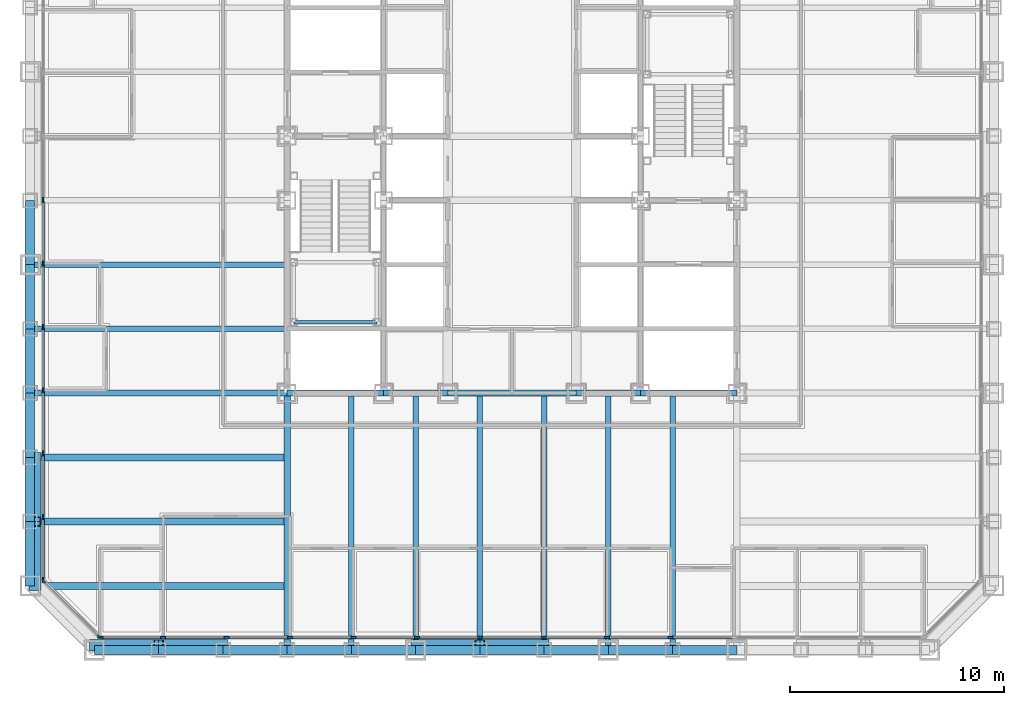
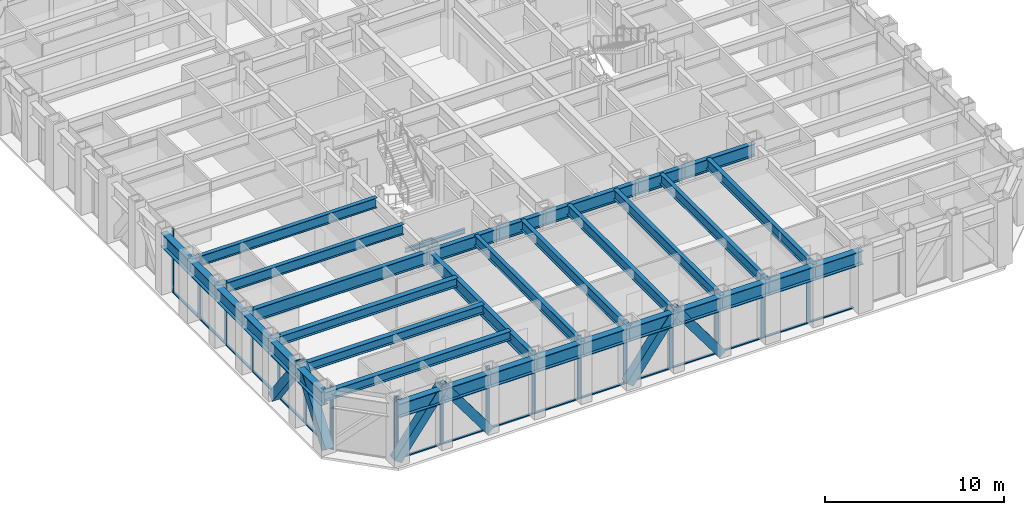
# One storey, part 2 of 16: 41 members, 35 beams, 3 elements without a shape of their own.
"""IFC4 building model written with IfcOpenShell, lengths in metres."""

from ifc_helpers import new_model, si_unit, direction, frame, origin, origin_2d, place, context, subcontext, project, spatial, rectangle, hollow_rectangle, i_section, extrude, material, layer, layer_set, material_profile, profile_set, type_object, element, aggregate, save


model = new_model("IFC4")

# Units and contexts
model_context = context("Model", 3, precision=1e-05, world=origin(), true_north=direction((0.0, 1.0)))
body_context = subcontext(model_context, "Body", "Model", "MODEL_VIEW")
ifc_project = project(units=[si_unit("LENGTHUNIT", "METRE"), si_unit("AREAUNIT", "SQUARE_METRE"), si_unit("VOLUMEUNIT", "CUBIC_METRE"), si_unit("PLANEANGLEUNIT", "RADIAN"), si_unit("MASSUNIT", "GRAM", prefix="KILO")], contexts=[model_context])

# Site, building, storey
site_placement = place(None, origin())
site = spatial("IfcSite", under=ifc_project, at=site_placement, CompositionType="ELEMENT")
building_placement = place(site_placement, origin())
building = spatial("IfcBuilding", under=site, at=building_placement, Name="Chuquiago Exchange Tower", CompositionType="ELEMENT")
storey_placement = place(building_placement, frame((0.0, 0.0, 60.300048828125)))
storey = spatial("IfcBuildingStorey", under=building, at=storey_placement, Name="L12", CompositionType="ELEMENT", Elevation=60.300048828125)

# Beams
ifc_material_1 = material(Name="Steel ASTM A992", Category="steel")
ifc_material_profile_1 = material_profile(ifc_material_1, i_section(OverallWidth=0.2919921875, OverallDepth=0.8583984375, WebThickness=0.01708984375, FlangeThickness=0.031005859375, at=origin_2d()), Name="W33X169")
ifc_profile_set_1 = profile_set([ifc_material_profile_1], Name="Steel ASTM A992")
beam_type_1 = type_object("IfcBeamType", Name="B3 W33X169", PredefinedType="BEAM", material=ifc_profile_set_1)
beam_1_placement = place(storey_placement, frame((12.0, 12.0, 3.610595703125), z_axis=(1.0, 0.0, 0.0), x_axis=(0.0, 1.0, 0.0)))
element("IfcBeam", 1, at=beam_1_placement, inside=storey, type_object=beam_type_1, Name="CB-L13-12_12-16.5_12", PredefinedType="BEAM", context=body_context, shape_type="SweptSolid", body=[
    extrude(i_section(OverallWidth=0.2919921875, OverallDepth=0.8583984375, WebThickness=0.01708984375, FlangeThickness=0.031005859375, at=origin_2d()), origin(), (0.0, 0.0, 1.0), 4.5),
])
beam_2_placement = place(storey_placement, frame((16.5, 12.0, 3.610595703125), z_axis=(1.0, 0.0, 0.0), x_axis=(0.0, 1.0, 0.0)))
element("IfcBeam", 2, at=beam_2_placement, inside=storey, type_object=beam_type_1, Name="CB-L13-16.5_12-19.5_12", PredefinedType="BEAM", context=body_context, shape_type="SweptSolid", body=[
    extrude(i_section(OverallWidth=0.2919921875, OverallDepth=0.8583984375, WebThickness=0.01708984375, FlangeThickness=0.031005859375, at=origin_2d()), origin(), (0.0, 0.0, 1.0), 3.0),
])
beam_3_placement = place(storey_placement, frame((19.5, 12.0, 3.610595703125), z_axis=(1.0, 0.0, 0.0), x_axis=(0.0, 1.0, 0.0)))
element("IfcBeam", 3, at=beam_3_placement, inside=storey, type_object=beam_type_1, Name="CB-L13-19.5_12-25.5_12", PredefinedType="BEAM", context=body_context, shape_type="SweptSolid", body=[
    extrude(i_section(OverallWidth=0.2919921875, OverallDepth=0.8583984375, WebThickness=0.01708984375, FlangeThickness=0.031005859375, at=origin_2d()), origin(), (0.0, 0.0, 1.0), 6.0),
])
beam_4_placement = place(storey_placement, frame((25.5, 12.0, 3.610595703125), z_axis=(1.0, 0.0, 0.0), x_axis=(0.0, 1.0, 0.0)))
element("IfcBeam", 4, at=beam_4_placement, inside=storey, type_object=beam_type_1, Name="CB-L13-25.5_12-28.5_12", PredefinedType="BEAM", context=body_context, shape_type="SweptSolid", body=[
    extrude(i_section(OverallWidth=0.2919921875, OverallDepth=0.8583984375, WebThickness=0.01708984375, FlangeThickness=0.031005859375, at=origin_2d()), origin(), (0.0, 0.0, 1.0), 3.0),
])
beam_5_placement = place(storey_placement, frame((28.5, 12.0, 3.610595703125), z_axis=(1.0, 0.0, 0.0), x_axis=(0.0, 1.0, 0.0)))
element("IfcBeam", 5, at=beam_5_placement, inside=storey, type_object=beam_type_1, Name="CB-L13-28.5_12-33_12", PredefinedType="BEAM", context=body_context, shape_type="SweptSolid", body=[
    extrude(i_section(OverallWidth=0.2919921875, OverallDepth=0.8583984375, WebThickness=0.01708984375, FlangeThickness=0.031005859375, at=origin_2d()), origin(), (0.0, 0.0, 1.0), 4.5),
])
ifc_material_2 = material(Name="Steel ASTM A992", Category="steel")
ifc_material_profile_2 = material_profile(ifc_material_2, i_section(OverallWidth=0.256591796875, OverallDepth=0.693359375, WebThickness=0.014404296875, FlangeThickness=0.023681640625, at=origin_2d()), Name="W27X114")
ifc_profile_set_2 = profile_set([ifc_material_profile_2], Name="Steel ASTM A992")
beam_type_2 = type_object("IfcBeamType", Name="B4 W27X114", PredefinedType="BEAM", material=ifc_profile_set_2)
for number, where, z_axis, x_axis, name in (
    (6, (15.0, 12.0, 3.693359375), (0.0, -1.0, 0.0), (1.0, 0.0, 0.0), "FB-L13-infill-15_12-15_-0-0"),
    (7, (18.0, 12.0, 3.693359375), (0.0, -1.0, 0.0), (1.0, 0.0, 0.0), "FB-L13-infill-18_12-18_-0-0"),
    (8, (21.0, 12.0, 3.693359375), (0.0, -1.0, 0.0), (1.0, 0.0, 0.0), "FB-L13-infill-21_12-21_-0-0"),
    (9, (24.0, 12.0, 3.693359375), (0.0, -1.0, 0.0), (1.0, 0.0, 0.0), "FB-L13-infill-24_12-24_-0-0"),
    (10, (27.0, 12.0, 3.693359375), (0.0, -1.0, 0.0), (1.0, 0.0, 0.0), "FB-L13-infill-27_12-27_-0-0"),
    (11, (30.0, 12.0, 3.693359375), (0.0, -1.0, 0.0), (1.0, 0.0, 0.0), "FB-L13-infill-30_12-30_-0-0"),
    (12, (12.0, 15.0, 3.693359375), (-1.0, 0.0, 0.0), (0.0, -1.0, 0.0), "FB-L13-infill-12_15--0_15-0"),
    (13, (12.0, 18.0, 3.693359375), (-1.0, 0.0, 0.0), (0.0, -1.0, 0.0), "FB-L13-infill-12_18--0_18-0"),
):
    element("IfcBeam", number, at=place(storey_placement, frame(where, z_axis=z_axis, x_axis=x_axis)), inside=storey, type_object=beam_type_2, Name=name, PredefinedType="BEAM", context=body_context, shape_type="SweptSolid", body=[
        extrude(i_section(OverallWidth=0.256591796875, OverallDepth=0.693359375, WebThickness=0.014404296875, FlangeThickness=0.023681640625, at=origin_2d()), origin(), (0.0, 0.0, 1.0), 12.0),
    ])
ifc_material_3 = material(Name="Steel ASTM A992", Category="steel")
ifc_material_profile_3 = material_profile(ifc_material_3, i_section(OverallWidth=0.3251953125, OverallDepth=0.6171875, WebThickness=0.013916015625, FlangeThickness=0.021484375, at=origin_2d()), Name="W24X117")
ifc_profile_set_3 = profile_set([ifc_material_profile_3], Name="Steel ASTM A992")
beam_type_3 = type_object("IfcBeamType", Name="B5 W24X117", PredefinedType="BEAM", material=ifc_profile_set_3)
for number, where, z_axis, x_axis, name in (
    (14, (12.0, 3.0, 3.7314453125), (-1.0, 0.0, 0.0), (0.0, -1.0, 0.0), "FB-L13-corner-12_3--0_3-0"),
    (15, (12.0, 6.0, 3.7314453125), (-1.0, 0.0, 0.0), (0.0, -1.0, 0.0), "FB-L13-corner-12_6--0_6-0"),
    (16, (12.0, 9.0, 3.7314453125), (-1.0, 0.0, 0.0), (0.0, -1.0, 0.0), "FB-L13-corner-12_9--0_9-0"),
):
    element("IfcBeam", number, at=place(storey_placement, frame(where, z_axis=z_axis, x_axis=x_axis)), inside=storey, type_object=beam_type_3, Name=name, PredefinedType="BEAM", context=body_context, shape_type="SweptSolid", body=[
        extrude(i_section(OverallWidth=0.3251953125, OverallDepth=0.6171875, WebThickness=0.013916015625, FlangeThickness=0.021484375, at=origin_2d()), origin(), (0.0, 0.0, 1.0), 12.0),
    ])

# Curtain wall, members
ifc_material_4 = material(Name="Aluminium curtain wall system", Category="aluminium")
ifc_layer_1 = layer(ifc_material_4, 0.25)
ifc_layer_set_1 = layer_set([ifc_layer_1], Name="CW1 trading floor curtain wall")
curtain_wall_type_1 = type_object("IfcCurtainWallType", Name="CW1 trading floor curtain wall", PredefinedType="NOTDEFINED", material=ifc_layer_set_1)
curtain_wall_1_placement = place(storey_placement, origin())
curtain_wall_1 = element("IfcCurtainWall", 17, at=curtain_wall_1_placement, inside=storey, type_object=curtain_wall_type_1, Name="CW1 curtain wall L12", PredefinedType="NOTDEFINED")
ifc_material_5 = material(Name="Aluminium mullion, pale anodised", Category="aluminium")
ifc_material_profile_4 = material_profile(ifc_material_5, rectangle(XDim=0.074951171875, YDim=0.25, at=origin_2d()), Name="AL 75x250")
ifc_profile_set_4 = profile_set([ifc_material_profile_4], Name="Aluminium mullion, pale anodised")
member_type_1 = type_object("IfcMemberType", Name="CW1-M mullion 75x250", PredefinedType="MULLION", material=ifc_profile_set_4)
member_1_placement = place(storey_placement, frame((3.285888671875, 0.60009765625, -0.300048828125), z_axis=(0.0, 0.0, 1.0), x_axis=(0.0, 1.0, 0.0)))
member_1 = element("IfcMember", 18, at=member_1_placement, type_object=member_type_1, Name="CW1 mullion 1", PredefinedType="MULLION", context=body_context, shape_type="SweptSolid", body=[
    extrude(rectangle(XDim=0.074951171875, YDim=0.25, at=origin_2d()), origin(), (0.0, 0.0, 1.0), 4.340087890625),
])
member_2_placement = place(storey_placement, frame((6.210205078125, 0.60009765625, -0.300048828125), z_axis=(0.0, 0.0, 1.0), x_axis=(0.0, 1.0, 0.0)))
member_2 = element("IfcMember", 19, at=member_2_placement, type_object=member_type_1, Name="CW1 mullion 2", PredefinedType="MULLION", context=body_context, shape_type="SweptSolid", body=[
    extrude(rectangle(XDim=0.074951171875, YDim=0.25, at=origin_2d()), origin(), (0.0, 0.0, 1.0), 4.340087890625),
])
member_3_placement = place(storey_placement, frame((9.172119140625, 0.60009765625, -0.300048828125), z_axis=(0.0, 0.0, 1.0), x_axis=(0.0, 1.0, 0.0)))
member_3 = element("IfcMember", 20, at=member_3_placement, type_object=member_type_1, Name="CW1 mullion 3", PredefinedType="MULLION", context=body_context, shape_type="SweptSolid", body=[
    extrude(rectangle(XDim=0.074951171875, YDim=0.25, at=origin_2d()), origin(), (0.0, 0.0, 1.0), 4.340087890625),
])
member_4_placement = place(storey_placement, frame((12.1337890625, 0.60009765625, -0.300048828125), z_axis=(0.0, 0.0, 1.0), x_axis=(0.0, 1.0, 0.0)))
member_4 = element("IfcMember", 21, at=member_4_placement, type_object=member_type_1, Name="CW1 mullion 4", PredefinedType="MULLION", context=body_context, shape_type="SweptSolid", body=[
    extrude(rectangle(XDim=0.074951171875, YDim=0.25, at=origin_2d()), origin(), (0.0, 0.0, 1.0), 4.340087890625),
])
member_5_placement = place(storey_placement, frame((15.095458984375, 0.60009765625, -0.300048828125), z_axis=(0.0, 0.0, 1.0), x_axis=(0.0, 1.0, 0.0)))
member_5 = element("IfcMember", 22, at=member_5_placement, type_object=member_type_1, Name="CW1 mullion 5", PredefinedType="MULLION", context=body_context, shape_type="SweptSolid", body=[
    extrude(rectangle(XDim=0.074951171875, YDim=0.25, at=origin_2d()), origin(), (0.0, 0.0, 1.0), 4.340087890625),
])
member_6_placement = place(storey_placement, frame((18.057373046875, 0.60009765625, -0.300048828125), z_axis=(0.0, 0.0, 1.0), x_axis=(0.0, 1.0, 0.0)))
member_6 = element("IfcMember", 23, at=member_6_placement, type_object=member_type_1, Name="CW1 mullion 6", PredefinedType="MULLION", context=body_context, shape_type="SweptSolid", body=[
    extrude(rectangle(XDim=0.074951171875, YDim=0.25, at=origin_2d()), origin(), (0.0, 0.0, 1.0), 4.340087890625),
])
member_7_placement = place(storey_placement, frame((21.01904296875, 0.60009765625, -0.300048828125), z_axis=(0.0, 0.0, 1.0), x_axis=(0.0, 1.0, 0.0)))
member_7 = element("IfcMember", 24, at=member_7_placement, type_object=member_type_1, Name="CW1 mullion 7", PredefinedType="MULLION", context=body_context, shape_type="SweptSolid", body=[
    extrude(rectangle(XDim=0.074951171875, YDim=0.25, at=origin_2d()), origin(), (0.0, 0.0, 1.0), 4.340087890625),
])
member_8_placement = place(storey_placement, frame((23.98095703125, 0.60009765625, -0.300048828125), z_axis=(0.0, 0.0, 1.0), x_axis=(0.0, 1.0, 0.0)))
member_8 = element("IfcMember", 25, at=member_8_placement, type_object=member_type_1, Name="CW1 mullion 8", PredefinedType="MULLION", context=body_context, shape_type="SweptSolid", body=[
    extrude(rectangle(XDim=0.074951171875, YDim=0.25, at=origin_2d()), origin(), (0.0, 0.0, 1.0), 4.340087890625),
])
member_9_placement = place(storey_placement, frame((26.942626953125, 0.60009765625, -0.300048828125), z_axis=(0.0, 0.0, 1.0), x_axis=(0.0, 1.0, 0.0)))
member_9 = element("IfcMember", 26, at=member_9_placement, type_object=member_type_1, Name="CW1 mullion 9", PredefinedType="MULLION", context=body_context, shape_type="SweptSolid", body=[
    extrude(rectangle(XDim=0.074951171875, YDim=0.25, at=origin_2d()), origin(), (0.0, 0.0, 1.0), 4.340087890625),
])
member_10_placement = place(storey_placement, frame((29.904541015625, 0.60009765625, -0.300048828125), z_axis=(0.0, 0.0, 1.0), x_axis=(0.0, 1.0, 0.0)))
member_10 = element("IfcMember", 27, at=member_10_placement, type_object=member_type_1, Name="CW1 mullion 10", PredefinedType="MULLION", context=body_context, shape_type="SweptSolid", body=[
    extrude(rectangle(XDim=0.074951171875, YDim=0.25, at=origin_2d()), origin(), (0.0, 0.0, 1.0), 4.340087890625),
])

curtain_wall_2_placement = place(storey_placement, origin())
curtain_wall_2 = element("IfcCurtainWall", 28, at=curtain_wall_2_placement, inside=storey, type_object=curtain_wall_type_1, Name="CW1 curtain wall L12", PredefinedType="NOTDEFINED")
member_11_placement = place(storey_placement, frame((0.60009765625, 21.01904296875, -0.300048828125), z_axis=(0.0, 0.0, 1.0), x_axis=(1.0, 0.0, 0.0)))
member_11 = element("IfcMember", 29, at=member_11_placement, type_object=member_type_1, Name="CW1 mullion 8", PredefinedType="MULLION", context=body_context, shape_type="SweptSolid", body=[
    extrude(rectangle(XDim=0.074951171875, YDim=0.25, at=origin_2d()), origin(), (0.0, 0.0, 1.0), 4.340087890625),
])
member_12_placement = place(storey_placement, frame((0.60009765625, 18.057373046875, -0.300048828125), z_axis=(0.0, 0.0, 1.0), x_axis=(1.0, 0.0, 0.0)))
member_12 = element("IfcMember", 30, at=member_12_placement, type_object=member_type_1, Name="CW1 mullion 9", PredefinedType="MULLION", context=body_context, shape_type="SweptSolid", body=[
    extrude(rectangle(XDim=0.074951171875, YDim=0.25, at=origin_2d()), origin(), (0.0, 0.0, 1.0), 4.340087890625),
])
member_13_placement = place(storey_placement, frame((0.60009765625, 15.095458984375, -0.300048828125), z_axis=(0.0, 0.0, 1.0), x_axis=(1.0, 0.0, 0.0)))
member_13 = element("IfcMember", 31, at=member_13_placement, type_object=member_type_1, Name="CW1 mullion 10", PredefinedType="MULLION", context=body_context, shape_type="SweptSolid", body=[
    extrude(rectangle(XDim=0.074951171875, YDim=0.25, at=origin_2d()), origin(), (0.0, 0.0, 1.0), 4.340087890625),
])
member_14_placement = place(storey_placement, frame((0.60009765625, 12.1337890625, -0.300048828125), z_axis=(0.0, 0.0, 1.0), x_axis=(1.0, 0.0, 0.0)))
member_14 = element("IfcMember", 32, at=member_14_placement, type_object=member_type_1, Name="CW1 mullion 11", PredefinedType="MULLION", context=body_context, shape_type="SweptSolid", body=[
    extrude(rectangle(XDim=0.074951171875, YDim=0.25, at=origin_2d()), origin(), (0.0, 0.0, 1.0), 4.340087890625),
])
member_15_placement = place(storey_placement, frame((0.60009765625, 9.172119140625, -0.300048828125), z_axis=(0.0, 0.0, 1.0), x_axis=(1.0, 0.0, 0.0)))
member_15 = element("IfcMember", 33, at=member_15_placement, type_object=member_type_1, Name="CW1 mullion 12", PredefinedType="MULLION", context=body_context, shape_type="SweptSolid", body=[
    extrude(rectangle(XDim=0.074951171875, YDim=0.25, at=origin_2d()), origin(), (0.0, 0.0, 1.0), 4.340087890625),
])
member_16_placement = place(storey_placement, frame((0.60009765625, 6.210205078125, -0.300048828125), z_axis=(0.0, 0.0, 1.0), x_axis=(1.0, 0.0, 0.0)))
member_16 = element("IfcMember", 34, at=member_16_placement, type_object=member_type_1, Name="CW1 mullion 13", PredefinedType="MULLION", context=body_context, shape_type="SweptSolid", body=[
    extrude(rectangle(XDim=0.074951171875, YDim=0.25, at=origin_2d()), origin(), (0.0, 0.0, 1.0), 4.340087890625),
])
member_17_placement = place(storey_placement, frame((0.60009765625, 3.285888671875, -0.300048828125), z_axis=(0.0, 0.0, 1.0), x_axis=(1.0, 0.0, 0.0)))
member_17 = element("IfcMember", 35, at=member_17_placement, type_object=member_type_1, Name="CW1 mullion 14", PredefinedType="MULLION", context=body_context, shape_type="SweptSolid", body=[
    extrude(rectangle(XDim=0.074951171875, YDim=0.25, at=origin_2d()), origin(), (0.0, 0.0, 1.0), 4.340087890625),
])

# Member
ifc_material_6 = material(Name="Aluminium transom, pale anodised", Category="aluminium")
ifc_material_profile_5 = material_profile(ifc_material_6, rectangle(XDim=0.14990234375, YDim=0.074951171875, at=origin_2d()), Name="AL 150x75")
ifc_profile_set_5 = profile_set([ifc_material_profile_5], Name="Aluminium transom, pale anodised")
member_type_2 = type_object("IfcMemberType", Name="CW1-T transom 75x150", PredefinedType="MULLION", material=ifc_profile_set_5)
member_18_placement = place(storey_placement, frame((3.323486328125, 0.60009765625, -0.262451171875), z_axis=(1.0, 0.0, 0.0), x_axis=(0.0, 1.0, 0.0)))
member_18 = element("IfcMember", 36, at=member_18_placement, type_object=member_type_2, Name="CW1 transom 1.1", PredefinedType="MULLION", context=body_context, shape_type="SweptSolid", body=[
    extrude(rectangle(XDim=0.14990234375, YDim=0.074951171875, at=origin_2d()), origin(), (0.0, 0.0, 1.0), 2.849365234375),
])

member_19_placement = place(storey_placement, frame((6.247802734375, 0.60009765625, -0.262451171875), z_axis=(1.0, 0.0, 0.0), x_axis=(0.0, 1.0, 0.0)))
member_19 = element("IfcMember", 37, at=member_19_placement, type_object=member_type_2, Name="CW1 transom 2.1", PredefinedType="MULLION", context=body_context, shape_type="SweptSolid", body=[
    extrude(rectangle(XDim=0.14990234375, YDim=0.074951171875, at=origin_2d()), origin(), (0.0, 0.0, 1.0), 2.88671875),
])

member_20_placement = place(storey_placement, frame((9.20947265625, 0.60009765625, -0.262451171875), z_axis=(1.0, 0.0, 0.0), x_axis=(0.0, 1.0, 0.0)))
member_20 = element("IfcMember", 38, at=member_20_placement, type_object=member_type_2, Name="CW1 transom 3.1", PredefinedType="MULLION", context=body_context, shape_type="SweptSolid", body=[
    extrude(rectangle(XDim=0.14990234375, YDim=0.074951171875, at=origin_2d()), origin(), (0.0, 0.0, 1.0), 2.88671875),
])

member_21_placement = place(storey_placement, frame((12.17138671875, 0.60009765625, -0.262451171875), z_axis=(1.0, 0.0, 0.0), x_axis=(0.0, 1.0, 0.0)))
member_21 = element("IfcMember", 39, at=member_21_placement, type_object=member_type_2, Name="CW1 transom 4.1", PredefinedType="MULLION", context=body_context, shape_type="SweptSolid", body=[
    extrude(rectangle(XDim=0.14990234375, YDim=0.074951171875, at=origin_2d()), origin(), (0.0, 0.0, 1.0), 2.88671875),
])

member_22_placement = place(storey_placement, frame((15.133056640625, 0.60009765625, -0.262451171875), z_axis=(1.0, 0.0, 0.0), x_axis=(0.0, 1.0, 0.0)))
member_22 = element("IfcMember", 40, at=member_22_placement, type_object=member_type_2, Name="CW1 transom 5.1", PredefinedType="MULLION", context=body_context, shape_type="SweptSolid", body=[
    extrude(rectangle(XDim=0.14990234375, YDim=0.074951171875, at=origin_2d()), origin(), (0.0, 0.0, 1.0), 2.88671875),
])

member_23_placement = place(storey_placement, frame((18.0947265625, 0.60009765625, -0.262451171875), z_axis=(1.0, 0.0, 0.0), x_axis=(0.0, 1.0, 0.0)))
member_23 = element("IfcMember", 41, at=member_23_placement, type_object=member_type_2, Name="CW1 transom 6.1", PredefinedType="MULLION", context=body_context, shape_type="SweptSolid", body=[
    extrude(rectangle(XDim=0.14990234375, YDim=0.074951171875, at=origin_2d()), origin(), (0.0, 0.0, 1.0), 2.886962890625),
])

member_24_placement = place(storey_placement, frame((21.056640625, 0.60009765625, -0.262451171875), z_axis=(1.0, 0.0, 0.0), x_axis=(0.0, 1.0, 0.0)))
member_24 = element("IfcMember", 42, at=member_24_placement, type_object=member_type_2, Name="CW1 transom 7.1", PredefinedType="MULLION", context=body_context, shape_type="SweptSolid", body=[
    extrude(rectangle(XDim=0.14990234375, YDim=0.074951171875, at=origin_2d()), origin(), (0.0, 0.0, 1.0), 2.88671875),
])

member_25_placement = place(storey_placement, frame((24.018310546875, 0.60009765625, -0.262451171875), z_axis=(1.0, 0.0, 0.0), x_axis=(0.0, 1.0, 0.0)))
member_25 = element("IfcMember", 43, at=member_25_placement, type_object=member_type_2, Name="CW1 transom 8.1", PredefinedType="MULLION", context=body_context, shape_type="SweptSolid", body=[
    extrude(rectangle(XDim=0.14990234375, YDim=0.074951171875, at=origin_2d()), origin(), (0.0, 0.0, 1.0), 2.886962890625),
])

member_26_placement = place(storey_placement, frame((26.980224609375, 0.60009765625, -0.262451171875), z_axis=(1.0, 0.0, 0.0), x_axis=(0.0, 1.0, 0.0)))
member_26 = element("IfcMember", 44, at=member_26_placement, type_object=member_type_2, Name="CW1 transom 9.1", PredefinedType="MULLION", context=body_context, shape_type="SweptSolid", body=[
    extrude(rectangle(XDim=0.14990234375, YDim=0.074951171875, at=origin_2d()), origin(), (0.0, 0.0, 1.0), 2.88671875),
])

member_27_placement = place(storey_placement, frame((29.94189453125, 0.60009765625, -0.262451171875), z_axis=(1.0, 0.0, 0.0), x_axis=(0.0, 1.0, 0.0)))
member_27 = element("IfcMember", 45, at=member_27_placement, type_object=member_type_2, Name="CW1 transom 10.1", PredefinedType="MULLION", context=body_context, shape_type="SweptSolid", body=[
    extrude(rectangle(XDim=0.14990234375, YDim=0.074951171875, at=origin_2d()), origin(), (0.0, 0.0, 1.0), 2.88671875),
])

aggregate(curtain_wall_1, [member_1, member_2, member_3, member_4, member_5, member_6, member_7, member_8, member_9, member_10, member_18, member_19, member_20, member_21, member_22, member_23, member_24, member_25, member_26, member_27])

member_28_placement = place(storey_placement, frame((0.60009765625, 20.981689453125, -0.262451171875), z_axis=(0.0, -1.0, 0.0), x_axis=(1.0, 0.0, 0.0)))
member_28 = element("IfcMember", 46, at=member_28_placement, type_object=member_type_2, Name="CW1 transom 8.1", PredefinedType="MULLION", context=body_context, shape_type="SweptSolid", body=[
    extrude(rectangle(XDim=0.14990234375, YDim=0.074951171875, at=origin_2d()), origin(), (0.0, 0.0, 1.0), 2.886962890625),
])

member_29_placement = place(storey_placement, frame((0.60009765625, 18.019775390625, -0.262451171875), z_axis=(0.0, -1.0, 0.0), x_axis=(1.0, 0.0, 0.0)))
member_29 = element("IfcMember", 47, at=member_29_placement, type_object=member_type_2, Name="CW1 transom 9.1", PredefinedType="MULLION", context=body_context, shape_type="SweptSolid", body=[
    extrude(rectangle(XDim=0.14990234375, YDim=0.074951171875, at=origin_2d()), origin(), (0.0, 0.0, 1.0), 2.88671875),
])

member_30_placement = place(storey_placement, frame((0.60009765625, 15.05810546875, -0.262451171875), z_axis=(0.0, -1.0, 0.0), x_axis=(1.0, 0.0, 0.0)))
member_30 = element("IfcMember", 48, at=member_30_placement, type_object=member_type_2, Name="CW1 transom 10.1", PredefinedType="MULLION", context=body_context, shape_type="SweptSolid", body=[
    extrude(rectangle(XDim=0.14990234375, YDim=0.074951171875, at=origin_2d()), origin(), (0.0, 0.0, 1.0), 2.88671875),
])

member_31_placement = place(storey_placement, frame((0.60009765625, 12.09619140625, -0.262451171875), z_axis=(0.0, -1.0, 0.0), x_axis=(1.0, 0.0, 0.0)))
member_31 = element("IfcMember", 49, at=member_31_placement, type_object=member_type_2, Name="CW1 transom 11.1", PredefinedType="MULLION", context=body_context, shape_type="SweptSolid", body=[
    extrude(rectangle(XDim=0.14990234375, YDim=0.074951171875, at=origin_2d()), origin(), (0.0, 0.0, 1.0), 2.88671875),
])

member_32_placement = place(storey_placement, frame((0.60009765625, 9.134521484375, -0.262451171875), z_axis=(0.0, -1.0, 0.0), x_axis=(1.0, 0.0, 0.0)))
member_32 = element("IfcMember", 50, at=member_32_placement, type_object=member_type_2, Name="CW1 transom 12.1", PredefinedType="MULLION", context=body_context, shape_type="SweptSolid", body=[
    extrude(rectangle(XDim=0.14990234375, YDim=0.074951171875, at=origin_2d()), origin(), (0.0, 0.0, 1.0), 2.88671875),
])

member_33_placement = place(storey_placement, frame((0.60009765625, 6.1728515625, -0.262451171875), z_axis=(0.0, -1.0, 0.0), x_axis=(1.0, 0.0, 0.0)))
member_33 = element("IfcMember", 51, at=member_33_placement, type_object=member_type_2, Name="CW1 transom 13.1", PredefinedType="MULLION", context=body_context, shape_type="SweptSolid", body=[
    extrude(rectangle(XDim=0.14990234375, YDim=0.074951171875, at=origin_2d()), origin(), (0.0, 0.0, 1.0), 2.849365234375),
])

aggregate(curtain_wall_2, [member_11, member_12, member_13, member_14, member_15, member_16, member_17, member_28, member_29, member_30, member_31, member_32, member_33])

# Curtain wall, members
ifc_material_7 = material(Name="Aluminium curtain wall system", Category="aluminium")
ifc_layer_2 = layer(ifc_material_7, 0.199951171875)
ifc_layer_set_2 = layer_set([ifc_layer_2], Name="CW3 facet curtain wall")
curtain_wall_type_2 = type_object("IfcCurtainWallType", Name="CW3 facet curtain wall", PredefinedType="NOTDEFINED", material=ifc_layer_set_2)
curtain_wall_3_placement = place(storey_placement, origin())
curtain_wall_3 = element("IfcCurtainWall", 52, at=curtain_wall_3_placement, inside=storey, type_object=curtain_wall_type_2, Name="CW3 curtain wall L12", PredefinedType="NOTDEFINED")
ifc_material_8 = material(Name="Aluminium mullion, pale anodised", Category="aluminium")
ifc_material_profile_6 = material_profile(ifc_material_8, rectangle(XDim=0.06494140625, YDim=0.199951171875, at=origin_2d()), Name="AL 65x200")
ifc_profile_set_6 = profile_set([ifc_material_profile_6], Name="Aluminium mullion, pale anodised")
member_type_3 = type_object("IfcMemberType", Name="CW3-M mullion 65x200", PredefinedType="MULLION", material=ifc_profile_set_6)
member_34_placement = place(storey_placement, frame((0.623046875, 3.2255859375, -0.300048828125), z_axis=(0.0, 0.0, 1.0), x_axis=(0.707106781187, 0.707106781187, 0.0)))
member_34 = element("IfcMember", 53, at=member_34_placement, type_object=member_type_3, Name="CW3 mullion 1", PredefinedType="MULLION", context=body_context, shape_type="SweptSolid", body=[
    extrude(rectangle(XDim=0.06494140625, YDim=0.199951171875, at=origin_2d()), origin(), (0.0, 0.0, 1.0), 4.340087890625),
])
member_35_placement = place(storey_placement, frame((3.2255859375, 0.623046875, -0.300048828125), z_axis=(0.0, 0.0, 1.0), x_axis=(0.707106781187, 0.707106781187, 0.0)))
member_35 = element("IfcMember", 54, at=member_35_placement, type_object=member_type_3, Name="CW3 mullion 2", PredefinedType="MULLION", context=body_context, shape_type="SweptSolid", body=[
    extrude(rectangle(XDim=0.06494140625, YDim=0.199951171875, at=origin_2d()), origin(), (0.0, 0.0, 1.0), 4.340087890625),
])
aggregate(curtain_wall_3, [member_34, member_35])

# Beams
ifc_material_9 = material(Name="Steel ASTM A992", Category="steel")
ifc_material_profile_7 = material_profile(ifc_material_9, i_section(OverallWidth=0.2919921875, OverallDepth=0.8583984375, WebThickness=0.01708984375, FlangeThickness=0.031005859375, at=origin_2d()), Name="W33X169")
ifc_profile_set_7 = profile_set([ifc_material_profile_7], Name="Steel ASTM A992")
beam_type_4 = type_object("IfcBeamType", Name="G2 W33X169", PredefinedType="BEAM", material=ifc_profile_set_7)
for number, where, z_axis, x_axis, name in (
    (55, (12.0, 12.0, 3.610595703125), (0.0, -1.0, 0.0), (1.0, 0.0, 0.0), "FB-L13-girder-12_12-12_-0-0"),
    (56, (12.0, 12.0, 3.610595703125), (-1.0, 0.0, 0.0), (0.0, -1.0, 0.0), "FB-L13-girder-12_12--0_12-0"),
):
    element("IfcBeam", number, at=place(storey_placement, frame(where, z_axis=z_axis, x_axis=x_axis)), inside=storey, type_object=beam_type_4, Name=name, PredefinedType="BEAM", context=body_context, shape_type="SweptSolid", body=[
        extrude(i_section(OverallWidth=0.2919921875, OverallDepth=0.8583984375, WebThickness=0.01708984375, FlangeThickness=0.031005859375, at=origin_2d()), origin(), (0.0, 0.0, 1.0), 12.0),
    ])
ifc_material_10 = material(Name="Steel ASTM A992", Category="steel")
ifc_material_profile_8 = material_profile(ifc_material_10, i_section(OverallWidth=0.164794921875, OverallDepth=0.309814453125, WebThickness=0.005859375, FlangeThickness=0.009765625, at=origin_2d()), Name="W12X26")
ifc_profile_set_8 = profile_set([ifc_material_profile_8], Name="Steel ASTM A992")
beam_type_5 = type_object("IfcBeamType", Name="LT1 W12X26", PredefinedType="BEAM", material=ifc_profile_set_8)
beam_6_placement = place(storey_placement, frame((12.31005859375, 15.31005859375, 1.89501953125), z_axis=(1.0, 0.0, 0.0), x_axis=(0.0, 1.0, 0.0)))
element("IfcBeam", 57, at=beam_6_placement, inside=storey, type_object=beam_type_5, Name="Stair ST1 L12 landing 1 trimmer", PredefinedType="BEAM", context=body_context, shape_type="SweptSolid", body=[
    extrude(i_section(OverallWidth=0.164794921875, OverallDepth=0.309814453125, WebThickness=0.005859375, FlangeThickness=0.009765625, at=origin_2d()), origin(), (0.0, 0.0, 1.0), 3.8798828125),
])

# Members
ifc_material_11 = material(Name="Steel ASTM A572 Grade 50", Category="steel")
ifc_material_profile_9 = material_profile(ifc_material_11, hollow_rectangle(XDim=0.550048828125, YDim=0.550048828125, WallThickness=0.044921875, at=origin_2d()), Name="BOX550X550X45")
ifc_profile_set_9 = profile_set([ifc_material_profile_9], Name="Steel ASTM A572 Grade 50")
member_type_4 = type_object("IfcMemberType", Name="MB1 BOX550X550X45", PredefinedType="BRACE", material=ifc_profile_set_9)
for number, where, z_axis, x_axis, name in (
    (58, (3.0, 0.22998046875, 0.0), (0.596173923302, 0.0, 0.802855312728), (0.0, 1.0, 0.0), "Mega diagonal L12 S face"),
    (59, (9.0, 0.22998046875, 0.0), (-0.596173923302, 0.0, 0.802855312728), (0.0, -1.0, 0.0), "Mega diagonal L12 S face"),
    (60, (18.0, 0.22998046875, 0.0), (0.596173923302, 0.0, 0.802855312728), (0.0, 1.0, 0.0), "Mega diagonal L12 S face"),
    (61, (24.0, 0.22998046875, 0.0), (-0.596173923302, 0.0, 0.802855312728), (0.0, -1.0, 0.0), "Mega diagonal L12 S face"),
    (62, (0.22998046875, 9.0, 0.0), (0.0, -0.596173923302, 0.802855312728), (1.0, 0.0, 0.0), "Mega diagonal L12 W face"),
    (63, (0.22998046875, 3.0, 0.0), (0.0, 0.596173923302, 0.802855312728), (-1.0, 0.0, 0.0), "Mega diagonal L12 W face"),
):
    element("IfcMember", number, at=place(storey_placement, frame(where, z_axis=z_axis, x_axis=x_axis)), inside=storey, type_object=member_type_4, Name=name, PredefinedType="BRACE", context=body_context, shape_type="SweptSolid", body=[
        extrude(hollow_rectangle(XDim=0.550048828125, YDim=0.550048828125, WallThickness=0.044921875, at=origin_2d()), origin(), (0.0, 0.0, 1.0), 5.031982421875),
    ])

# Beams
ifc_material_12 = material(Name="Steel ASTM A992", Category="steel")
ifc_material_profile_10 = material_profile(ifc_material_12, i_section(OverallWidth=0.424072265625, OverallDepth=0.947509765625, WebThickness=0.02392578125, FlangeThickness=0.042724609375, at=origin_2d()), Name="W36X302")
ifc_profile_set_10 = profile_set([ifc_material_profile_10], Name="Steel ASTM A992")
beam_type_6 = type_object("IfcBeamType", Name="SP1 W36X302", PredefinedType="SPANDREL", material=ifc_profile_set_10)
for number, where, z_axis, x_axis, name in (
    (64, (3.0, 0.0, 3.566162109375), (1.0, 0.0, 0.0), (0.0, 1.0, 0.0), "SPB-L13-3_0-6_0"),
    (65, (6.0, 0.0, 3.566162109375), (1.0, 0.0, 0.0), (0.0, 1.0, 0.0), "SPB-L13-6_0-9_0"),
    (66, (9.0, 0.0, 3.566162109375), (1.0, 0.0, 0.0), (0.0, 1.0, 0.0), "SPB-L13-9_0-12_0"),
    (67, (12.0, 0.0, 3.566162109375), (1.0, 0.0, 0.0), (0.0, 1.0, 0.0), "SPB-L13-12_0-15_0"),
    (68, (15.0, 0.0, 3.566162109375), (1.0, 0.0, 0.0), (0.0, 1.0, 0.0), "SPB-L13-15_0-18_0"),
    (69, (18.0, 0.0, 3.566162109375), (1.0, 0.0, 0.0), (0.0, 1.0, 0.0), "SPB-L13-18_0-21_0"),
    (70, (21.0, 0.0, 3.566162109375), (1.0, 0.0, 0.0), (0.0, 1.0, 0.0), "SPB-L13-21_0-24_0"),
    (71, (24.0, 0.0, 3.566162109375), (1.0, 0.0, 0.0), (0.0, 1.0, 0.0), "SPB-L13-24_0-27_0"),
    (72, (27.0, 0.0, 3.566162109375), (1.0, 0.0, 0.0), (0.0, 1.0, 0.0), "SPB-L13-27_0-30_0"),
    (73, (30.0, 0.0, 3.566162109375), (1.0, 0.0, 0.0), (0.0, 1.0, 0.0), "SPB-L13-30_0-33_0"),
    (74, (0.0, 21.0, 3.566162109375), (0.0, -1.0, 0.0), (1.0, 0.0, 0.0), "SPB-L13-0_21-0_18"),
    (75, (0.0, 18.0, 3.566162109375), (0.0, -1.0, 0.0), (1.0, 0.0, 0.0), "SPB-L13-0_18-0_15"),
    (76, (0.0, 15.0, 3.566162109375), (0.0, -1.0, 0.0), (1.0, 0.0, 0.0), "SPB-L13-0_15-0_12"),
    (77, (0.0, 12.0, 3.566162109375), (0.0, -1.0, 0.0), (1.0, 0.0, 0.0), "SPB-L13-0_12-0_9"),
    (78, (0.0, 9.0, 3.566162109375), (0.0, -1.0, 0.0), (1.0, 0.0, 0.0), "SPB-L13-0_9-0_6"),
    (79, (0.0, 6.0, 3.566162109375), (0.0, -1.0, 0.0), (1.0, 0.0, 0.0), "SPB-L13-0_6-0_3"),
):
    element("IfcBeam", number, at=place(storey_placement, frame(where, z_axis=z_axis, x_axis=x_axis)), inside=storey, type_object=beam_type_6, Name=name, PredefinedType="SPANDREL", context=body_context, shape_type="SweptSolid", body=[
        extrude(i_section(OverallWidth=0.424072265625, OverallDepth=0.947509765625, WebThickness=0.02392578125, FlangeThickness=0.042724609375, at=origin_2d()), origin(), (0.0, 0.0, 1.0), 3.0),
    ])

save(model, "model.ifc")
